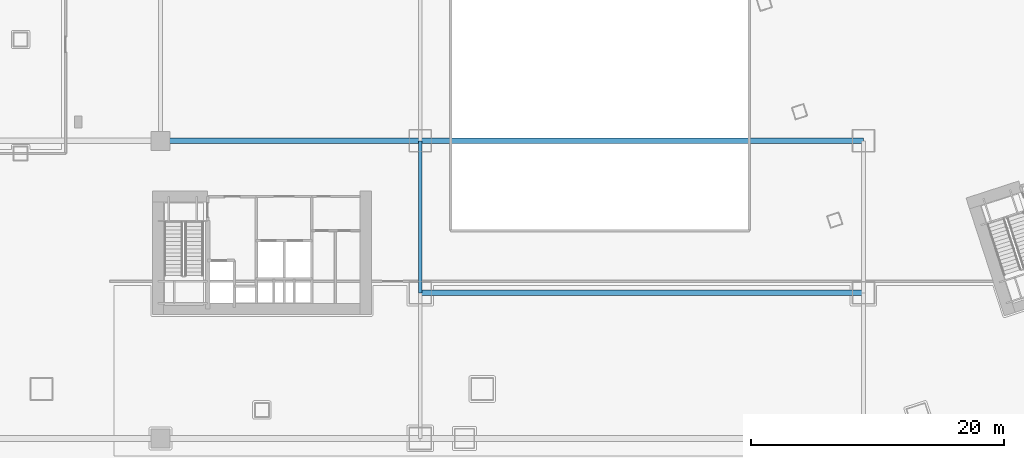
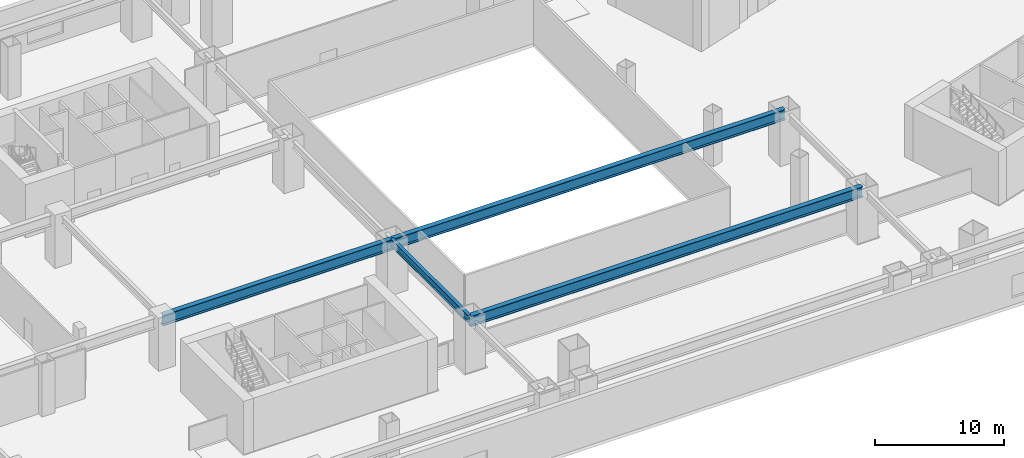
# One storey, part 9 of 35: 4 beams.
"""IFC4 building model written with IfcOpenShell, lengths in metres."""

from ifc_helpers import new_model, si_unit, direction, frame, origin, origin_2d, place, context, subcontext, project, spatial, i_section, extrude, material, material_profile, profile_set, type_object, element, save


model = new_model("IFC4")

# Units and contexts
model_context = context("Model", 3, precision=1e-05, world=origin(), true_north=direction((0.0, 1.0)))
body_context = subcontext(model_context, "Body", "Model", "MODEL_VIEW")
ifc_project = project(units=[si_unit("LENGTHUNIT", "METRE"), si_unit("AREAUNIT", "SQUARE_METRE"), si_unit("VOLUMEUNIT", "CUBIC_METRE"), si_unit("PLANEANGLEUNIT", "RADIAN"), si_unit("MASSUNIT", "GRAM", prefix="KILO")], contexts=[model_context])

# Site, building, storey
site_placement = place(None, origin())
site = spatial("IfcSite", under=ifc_project, at=site_placement, CompositionType="ELEMENT")
building_placement = place(site_placement, origin())
building = spatial("IfcBuilding", under=site, at=building_placement, Name="Qiaolan Cultural Towers", CompositionType="ELEMENT")
storey_placement = place(building_placement, frame((0.0, 0.0, 11.5)))
storey = spatial("IfcBuildingStorey", under=building, at=storey_placement, Name="L02", CompositionType="ELEMENT", Elevation=11.5)

# Beams
ifc_material_1 = material(Name="Steel Q390GJB", Category="steel")
ifc_material_profile_1 = material_profile(ifc_material_1, i_section(OverallWidth=0.449951171875, OverallDepth=1.0, WebThickness=0.02392578125, FlangeThickness=0.0400390625, at=origin_2d()), Name="BH1000x450x24x40")
ifc_profile_set_1 = profile_set([ifc_material_profile_1], Name="Steel Q390GJB")
beam_type_1 = type_object("IfcBeamType", Name="BM-BH1000x450x24x40", PredefinedType="BEAM", material=ifc_profile_set_1)
beam_1_placement = place(storey_placement, frame((42.5, 14.0, 4.199951171875), z_axis=(1.0, 0.0, 0.0), x_axis=(0.0, 1.0, 0.0)))
element("IfcBeam", 1, at=beam_1_placement, inside=storey, type_object=beam_type_1, Name="L02 Podium Primary Girder Y=14.0", PredefinedType="BEAM", context=body_context, shape_type="SweptSolid", body=[
    extrude(i_section(OverallWidth=0.449951171875, OverallDepth=1.0, WebThickness=0.02392578125, FlangeThickness=0.0400390625, at=origin_2d()), origin(), (0.0, 0.0, 1.0), 35.0),
])
beam_2_placement = place(storey_placement, frame((22.0, 26.0, 4.199951171875), z_axis=(1.0, 0.0, 0.0), x_axis=(0.0, 1.0, 0.0)))
element("IfcBeam", 2, at=beam_2_placement, inside=storey, type_object=beam_type_1, Name="L02 Podium Primary Girder Y=26.0", PredefinedType="BEAM", context=body_context, shape_type="SweptSolid", body=[
    extrude(i_section(OverallWidth=0.449951171875, OverallDepth=1.0, WebThickness=0.02392578125, FlangeThickness=0.0400390625, at=origin_2d()), origin(), (0.0, 0.0, 1.0), 20.5),
])
beam_3_placement = place(storey_placement, frame((42.5, 26.0, 4.199951171875), z_axis=(1.0, 0.0, 0.0), x_axis=(0.0, 1.0, 0.0)))
element("IfcBeam", 3, at=beam_3_placement, inside=storey, type_object=beam_type_1, Name="L02 Podium Primary Girder Y=26.0", PredefinedType="BEAM", context=body_context, shape_type="SweptSolid", body=[
    extrude(i_section(OverallWidth=0.449951171875, OverallDepth=1.0, WebThickness=0.02392578125, FlangeThickness=0.0400390625, at=origin_2d()), origin(), (0.0, 0.0, 1.0), 35.0),
])
ifc_material_2 = material(Name="Steel Q355B", Category="steel")
ifc_material_profile_2 = material_profile(ifc_material_2, i_section(OverallWidth=0.300048828125, OverallDepth=0.699951171875, WebThickness=0.012939453125, FlangeThickness=0.02392578125, at=origin_2d()), Name="HN700x300x13x24")
ifc_profile_set_2 = profile_set([ifc_material_profile_2], Name="Steel Q355B")
beam_type_2 = type_object("IfcBeamType", Name="BM-HN700x300x13x24", PredefinedType="BEAM", material=ifc_profile_set_2)
beam_4_placement = place(storey_placement, frame((42.5, 14.0, 4.35009765625), z_axis=(0.0, 1.0, 0.0), x_axis=(-1.0, 0.0, 0.0)))
element("IfcBeam", 4, at=beam_4_placement, inside=storey, type_object=beam_type_2, Name="L02 Podium Transverse Beam X=42.5", PredefinedType="BEAM", context=body_context, shape_type="SweptSolid", body=[
    extrude(i_section(OverallWidth=0.300048828125, OverallDepth=0.699951171875, WebThickness=0.012939453125, FlangeThickness=0.02392578125, at=origin_2d()), origin(), (0.0, 0.0, 1.0), 12.0),
])

save(model, "model.ifc")
